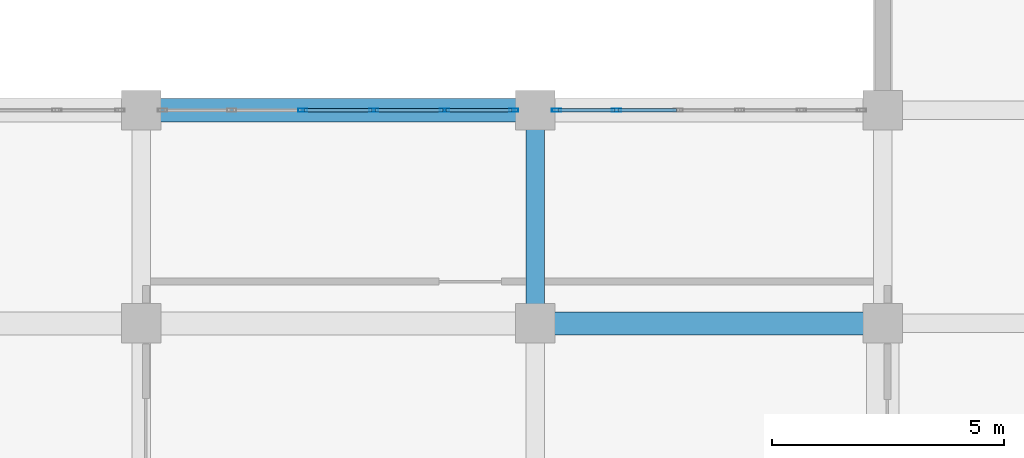
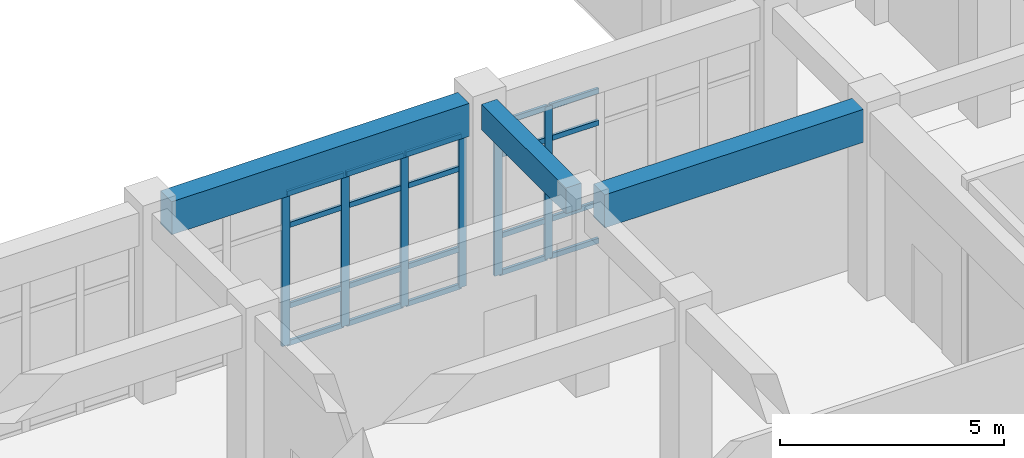
# One storey, part 34 of 84: 26 members, 3 beams, 2 elements without a shape of their own.
"""IFC4 building model written with IfcOpenShell, lengths in metres."""

from ifc_helpers import new_model, si_unit, direction, frame, origin, origin_2d, place, context, subcontext, project, spatial, rectangle, hollow_rectangle, extrude, material, layer, layer_set, material_profile, profile_set, type_object, element, aggregate, save


model = new_model("IFC4")

# Units and contexts
model_context = context("Model", 3, precision=1e-05, world=origin(), true_north=direction((0.0, 1.0)))
body_context = subcontext(model_context, "Body", "Model", "MODEL_VIEW")
ifc_project = project(units=[si_unit("LENGTHUNIT", "METRE"), si_unit("AREAUNIT", "SQUARE_METRE"), si_unit("VOLUMEUNIT", "CUBIC_METRE"), si_unit("PLANEANGLEUNIT", "RADIAN"), si_unit("MASSUNIT", "GRAM", prefix="KILO")], contexts=[model_context])

# Site, building, storey
site_placement = place(None, origin())
site = spatial("IfcSite", under=ifc_project, at=site_placement, CompositionType="ELEMENT")
building_placement = place(site_placement, origin())
building = spatial("IfcBuilding", under=site, at=building_placement, Name="Muzn Square Opera House", CompositionType="ELEMENT")
storey_placement = place(building_placement, origin())
storey = spatial("IfcBuildingStorey", under=building, at=storey_placement, Name="L00", CompositionType="ELEMENT", Elevation=0.0)

# Curtain wall, members
ifc_material_1 = material(Name="Low-E laminated acoustic double glazing", Category="glass")
ifc_layer_1 = layer(ifc_material_1, 0.159912109375, Name="Low-E laminated acoustic double glazing", Category="glass")
ifc_layer_set_1 = layer_set([ifc_layer_1], Name="Low-E laminated acoustic double glazing")
curtain_wall_type_1 = type_object("IfcCurtainWallType", Name="Glazed Curtain Wall EastCloisterS 7650x4150", PredefinedType="USERDEFINED", material=ifc_layer_set_1)
curtain_wall_1_placement = place(storey_placement, origin())
curtain_wall_1 = element("IfcCurtainWall", 1, at=curtain_wall_1_placement, inside=storey, type_object=curtain_wall_type_1, Name="Glazed Curtain Wall CW-L00-077", ObjectType="GLAZED CURTAIN WALL", PredefinedType="USERDEFINED")
ifc_material_2 = material(Name="Anodised bronze aluminium 6063-T6", Category="metal")
ifc_material_profile_1 = material_profile(ifc_material_2, hollow_rectangle(XDim=0.070068359375, YDim=0.199951171875, WallThickness=0.0048828125, at=origin_2d()), Name="ALU 200x70x5", Category="metal")
ifc_profile_set_1 = profile_set([ifc_material_profile_1], Name="Anodised bronze aluminium 6063-T6")
member_type_1 = type_object("IfcMemberType", Name="Curtain Wall Mullion 200x70", PredefinedType="MULLION", material=ifc_profile_set_1)
member_1_placement = place(storey_placement, frame((144.485107421875, 31.199951171875, 0.0), z_axis=(0.0, 0.0, 1.0), x_axis=(0.0, 1.0, 0.0)))
member_1 = element("IfcMember", 2, at=member_1_placement, type_object=member_type_1, Name="CW-ECS-76x41 mullion 3", PredefinedType="MULLION", context=body_context, shape_type="SweptSolid", body=[
    extrude(hollow_rectangle(XDim=0.070068359375, YDim=0.199951171875, WallThickness=0.0048828125, at=origin_2d()), origin(), (0.0, 0.0, 1.0), 4.14990234375),
])
member_2_placement = place(storey_placement, frame((146.014892578125, 31.199951171875, 0.0), z_axis=(0.0, 0.0, 1.0), x_axis=(0.0, 1.0, 0.0)))
member_2 = element("IfcMember", 3, at=member_2_placement, type_object=member_type_1, Name="CW-ECS-76x41 mullion 4", PredefinedType="MULLION", context=body_context, shape_type="SweptSolid", body=[
    extrude(hollow_rectangle(XDim=0.070068359375, YDim=0.199951171875, WallThickness=0.0048828125, at=origin_2d()), origin(), (0.0, 0.0, 1.0), 4.14990234375),
])
member_3_placement = place(storey_placement, frame((147.544921875, 31.199951171875, 0.0), z_axis=(0.0, 0.0, 1.0), x_axis=(0.0, 1.0, 0.0)))
member_3 = element("IfcMember", 4, at=member_3_placement, type_object=member_type_1, Name="CW-ECS-76x41 mullion 5", PredefinedType="MULLION", context=body_context, shape_type="SweptSolid", body=[
    extrude(hollow_rectangle(XDim=0.070068359375, YDim=0.199951171875, WallThickness=0.0048828125, at=origin_2d()), origin(), (0.0, 0.0, 1.0), 4.14990234375),
])
member_4_placement = place(storey_placement, frame((149.0400390625, 31.199951171875, 0.0), z_axis=(0.0, 0.0, 1.0), x_axis=(0.0, 1.0, 0.0)))
member_4 = element("IfcMember", 5, at=member_4_placement, type_object=member_type_1, Name="CW-ECS-76x41 mullion 6", PredefinedType="MULLION", context=body_context, shape_type="SweptSolid", body=[
    extrude(hollow_rectangle(XDim=0.070068359375, YDim=0.199951171875, WallThickness=0.0048828125, at=origin_2d()), origin(), (0.0, 0.0, 1.0), 4.14990234375),
])

ifc_layer_2 = layer(ifc_material_1, 0.159912109375, Name="Low-E laminated acoustic double glazing", Category="glass")
ifc_layer_set_2 = layer_set([ifc_layer_2], Name="Low-E laminated acoustic double glazing")
curtain_wall_type_2 = type_object("IfcCurtainWallType", Name="Glazed Curtain Wall EastCloisterS 6650x4150", PredefinedType="USERDEFINED", material=ifc_layer_set_2)
curtain_wall_2_placement = place(storey_placement, origin())
curtain_wall_2 = element("IfcCurtainWall", 6, at=curtain_wall_2_placement, inside=storey, type_object=curtain_wall_type_2, Name="Glazed Curtain Wall CW-L00-079", ObjectType="GLAZED CURTAIN WALL", PredefinedType="USERDEFINED")
member_5_placement = place(storey_placement, frame((149.9599609375, 31.199951171875, 0.0), z_axis=(0.0, 0.0, 1.0), x_axis=(0.0, 1.0, 0.0)))
member_5 = element("IfcMember", 7, at=member_5_placement, type_object=member_type_1, Name="CW-ECS-66x41 mullion 1", PredefinedType="MULLION", context=body_context, shape_type="SweptSolid", body=[
    extrude(hollow_rectangle(XDim=0.070068359375, YDim=0.199951171875, WallThickness=0.0048828125, at=origin_2d()), origin(), (0.0, 0.0, 1.0), 4.14990234375),
])
member_6_placement = place(storey_placement, frame((151.2548828125, 31.199951171875, 0.0), z_axis=(0.0, 0.0, 1.0), x_axis=(0.0, 1.0, 0.0)))
member_6 = element("IfcMember", 8, at=member_6_placement, type_object=member_type_1, Name="CW-ECS-66x41 mullion 2", PredefinedType="MULLION", context=body_context, shape_type="SweptSolid", body=[
    extrude(hollow_rectangle(XDim=0.070068359375, YDim=0.199951171875, WallThickness=0.0048828125, at=origin_2d()), origin(), (0.0, 0.0, 1.0), 4.14990234375),
])

# Member
ifc_material_profile_2 = material_profile(ifc_material_2, hollow_rectangle(XDim=0.070068359375, YDim=0.139892578125, WallThickness=0.00390625, at=origin_2d()), Name="ALU 140x70x4", Category="metal")
ifc_profile_set_2 = profile_set([ifc_material_profile_2], Name="Anodised bronze aluminium 6063-T6")
member_type_2 = type_object("IfcMemberType", Name="Curtain Wall Transom 140x70", PredefinedType="USERDEFINED", material=ifc_profile_set_2)
member_7_placement = place(storey_placement, frame((144.52001953125, 31.199951171875, 0.034912109375), z_axis=(1.0, 0.0, 0.0), x_axis=(0.0, 1.0, 0.0)))
member_7 = element("IfcMember", 9, at=member_7_placement, type_object=member_type_2, Name="CW-ECS-76x41 transom 3.1", ObjectType="TRANSOM", PredefinedType="USERDEFINED", context=body_context, shape_type="SweptSolid", body=[
    extrude(hollow_rectangle(XDim=0.070068359375, YDim=0.139892578125, WallThickness=0.00390625, at=origin_2d()), origin(), (0.0, 0.0, 1.0), 1.4599609375),
])

member_8_placement = place(storey_placement, frame((144.52001953125, 31.199951171875, 1.050048828125), z_axis=(1.0, 0.0, 0.0), x_axis=(0.0, 1.0, 0.0)))
member_8 = element("IfcMember", 10, at=member_8_placement, type_object=member_type_2, Name="CW-ECS-76x41 transom 3.2", ObjectType="TRANSOM", PredefinedType="USERDEFINED", context=body_context, shape_type="SweptSolid", body=[
    extrude(hollow_rectangle(XDim=0.070068359375, YDim=0.139892578125, WallThickness=0.00390625, at=origin_2d()), origin(), (0.0, 0.0, 1.0), 1.4599609375),
])

member_9_placement = place(storey_placement, frame((144.52001953125, 31.199951171875, 3.25), z_axis=(1.0, 0.0, 0.0), x_axis=(0.0, 1.0, 0.0)))
member_9 = element("IfcMember", 11, at=member_9_placement, type_object=member_type_2, Name="CW-ECS-76x41 transom 3.3", ObjectType="TRANSOM", PredefinedType="USERDEFINED", context=body_context, shape_type="SweptSolid", body=[
    extrude(hollow_rectangle(XDim=0.070068359375, YDim=0.139892578125, WallThickness=0.00390625, at=origin_2d()), origin(), (0.0, 0.0, 1.0), 1.4599609375),
])

member_10_placement = place(storey_placement, frame((144.52001953125, 31.199951171875, 4.114990234375), z_axis=(1.0, 0.0, 0.0), x_axis=(0.0, 1.0, 0.0)))
member_10 = element("IfcMember", 12, at=member_10_placement, type_object=member_type_2, Name="CW-ECS-76x41 transom 3.4", ObjectType="TRANSOM", PredefinedType="USERDEFINED", context=body_context, shape_type="SweptSolid", body=[
    extrude(hollow_rectangle(XDim=0.070068359375, YDim=0.139892578125, WallThickness=0.00390625, at=origin_2d()), origin(), (0.0, 0.0, 1.0), 1.4599609375),
])

member_11_placement = place(storey_placement, frame((146.050048828125, 31.199951171875, 0.034912109375), z_axis=(1.0, 0.0, 0.0), x_axis=(0.0, 1.0, 0.0)))
member_11 = element("IfcMember", 13, at=member_11_placement, type_object=member_type_2, Name="CW-ECS-76x41 transom 4.1", ObjectType="TRANSOM", PredefinedType="USERDEFINED", context=body_context, shape_type="SweptSolid", body=[
    extrude(hollow_rectangle(XDim=0.070068359375, YDim=0.139892578125, WallThickness=0.00390625, at=origin_2d()), origin(), (0.0, 0.0, 1.0), 1.4599609375),
])

member_12_placement = place(storey_placement, frame((146.050048828125, 31.199951171875, 1.050048828125), z_axis=(1.0, 0.0, 0.0), x_axis=(0.0, 1.0, 0.0)))
member_12 = element("IfcMember", 14, at=member_12_placement, type_object=member_type_2, Name="CW-ECS-76x41 transom 4.2", ObjectType="TRANSOM", PredefinedType="USERDEFINED", context=body_context, shape_type="SweptSolid", body=[
    extrude(hollow_rectangle(XDim=0.070068359375, YDim=0.139892578125, WallThickness=0.00390625, at=origin_2d()), origin(), (0.0, 0.0, 1.0), 1.4599609375),
])

member_13_placement = place(storey_placement, frame((146.050048828125, 31.199951171875, 3.25), z_axis=(1.0, 0.0, 0.0), x_axis=(0.0, 1.0, 0.0)))
member_13 = element("IfcMember", 15, at=member_13_placement, type_object=member_type_2, Name="CW-ECS-76x41 transom 4.3", ObjectType="TRANSOM", PredefinedType="USERDEFINED", context=body_context, shape_type="SweptSolid", body=[
    extrude(hollow_rectangle(XDim=0.070068359375, YDim=0.139892578125, WallThickness=0.00390625, at=origin_2d()), origin(), (0.0, 0.0, 1.0), 1.4599609375),
])

member_14_placement = place(storey_placement, frame((146.050048828125, 31.199951171875, 4.114990234375), z_axis=(1.0, 0.0, 0.0), x_axis=(0.0, 1.0, 0.0)))
member_14 = element("IfcMember", 16, at=member_14_placement, type_object=member_type_2, Name="CW-ECS-76x41 transom 4.4", ObjectType="TRANSOM", PredefinedType="USERDEFINED", context=body_context, shape_type="SweptSolid", body=[
    extrude(hollow_rectangle(XDim=0.070068359375, YDim=0.139892578125, WallThickness=0.00390625, at=origin_2d()), origin(), (0.0, 0.0, 1.0), 1.4599609375),
])

member_15_placement = place(storey_placement, frame((147.580078125, 31.199951171875, 0.034912109375), z_axis=(1.0, 0.0, 0.0), x_axis=(0.0, 1.0, 0.0)))
member_15 = element("IfcMember", 17, at=member_15_placement, type_object=member_type_2, Name="CW-ECS-76x41 transom 5.1", ObjectType="TRANSOM", PredefinedType="USERDEFINED", context=body_context, shape_type="SweptSolid", body=[
    extrude(hollow_rectangle(XDim=0.070068359375, YDim=0.139892578125, WallThickness=0.00390625, at=origin_2d()), origin(), (0.0, 0.0, 1.0), 1.4248046875),
])

member_16_placement = place(storey_placement, frame((147.580078125, 31.199951171875, 1.050048828125), z_axis=(1.0, 0.0, 0.0), x_axis=(0.0, 1.0, 0.0)))
member_16 = element("IfcMember", 18, at=member_16_placement, type_object=member_type_2, Name="CW-ECS-76x41 transom 5.2", ObjectType="TRANSOM", PredefinedType="USERDEFINED", context=body_context, shape_type="SweptSolid", body=[
    extrude(hollow_rectangle(XDim=0.070068359375, YDim=0.139892578125, WallThickness=0.00390625, at=origin_2d()), origin(), (0.0, 0.0, 1.0), 1.4248046875),
])

member_17_placement = place(storey_placement, frame((147.580078125, 31.199951171875, 3.25), z_axis=(1.0, 0.0, 0.0), x_axis=(0.0, 1.0, 0.0)))
member_17 = element("IfcMember", 19, at=member_17_placement, type_object=member_type_2, Name="CW-ECS-76x41 transom 5.3", ObjectType="TRANSOM", PredefinedType="USERDEFINED", context=body_context, shape_type="SweptSolid", body=[
    extrude(hollow_rectangle(XDim=0.070068359375, YDim=0.139892578125, WallThickness=0.00390625, at=origin_2d()), origin(), (0.0, 0.0, 1.0), 1.4248046875),
])

member_18_placement = place(storey_placement, frame((147.580078125, 31.199951171875, 4.114990234375), z_axis=(1.0, 0.0, 0.0), x_axis=(0.0, 1.0, 0.0)))
member_18 = element("IfcMember", 20, at=member_18_placement, type_object=member_type_2, Name="CW-ECS-76x41 transom 5.4", ObjectType="TRANSOM", PredefinedType="USERDEFINED", context=body_context, shape_type="SweptSolid", body=[
    extrude(hollow_rectangle(XDim=0.070068359375, YDim=0.139892578125, WallThickness=0.00390625, at=origin_2d()), origin(), (0.0, 0.0, 1.0), 1.4248046875),
])

aggregate(curtain_wall_1, [member_1, member_2, member_3, member_4, member_7, member_8, member_9, member_10, member_11, member_12, member_13, member_14, member_15, member_16, member_17, member_18])

member_19_placement = place(storey_placement, frame((149.9951171875, 31.199951171875, 0.034912109375), z_axis=(1.0, 0.0, 0.0), x_axis=(0.0, 1.0, 0.0)))
member_19 = element("IfcMember", 21, at=member_19_placement, type_object=member_type_2, Name="CW-ECS-66x41 transom 1.1", ObjectType="TRANSOM", PredefinedType="USERDEFINED", context=body_context, shape_type="SweptSolid", body=[
    extrude(hollow_rectangle(XDim=0.070068359375, YDim=0.139892578125, WallThickness=0.00390625, at=origin_2d()), origin(), (0.0, 0.0, 1.0), 1.224853515625),
])

member_20_placement = place(storey_placement, frame((149.9951171875, 31.199951171875, 1.050048828125), z_axis=(1.0, 0.0, 0.0), x_axis=(0.0, 1.0, 0.0)))
member_20 = element("IfcMember", 22, at=member_20_placement, type_object=member_type_2, Name="CW-ECS-66x41 transom 1.2", ObjectType="TRANSOM", PredefinedType="USERDEFINED", context=body_context, shape_type="SweptSolid", body=[
    extrude(hollow_rectangle(XDim=0.070068359375, YDim=0.139892578125, WallThickness=0.00390625, at=origin_2d()), origin(), (0.0, 0.0, 1.0), 1.224853515625),
])

member_21_placement = place(storey_placement, frame((149.9951171875, 31.199951171875, 3.25), z_axis=(1.0, 0.0, 0.0), x_axis=(0.0, 1.0, 0.0)))
member_21 = element("IfcMember", 23, at=member_21_placement, type_object=member_type_2, Name="CW-ECS-66x41 transom 1.3", ObjectType="TRANSOM", PredefinedType="USERDEFINED", context=body_context, shape_type="SweptSolid", body=[
    extrude(hollow_rectangle(XDim=0.070068359375, YDim=0.139892578125, WallThickness=0.00390625, at=origin_2d()), origin(), (0.0, 0.0, 1.0), 1.224853515625),
])

member_22_placement = place(storey_placement, frame((149.9951171875, 31.199951171875, 4.114990234375), z_axis=(1.0, 0.0, 0.0), x_axis=(0.0, 1.0, 0.0)))
member_22 = element("IfcMember", 24, at=member_22_placement, type_object=member_type_2, Name="CW-ECS-66x41 transom 1.4", ObjectType="TRANSOM", PredefinedType="USERDEFINED", context=body_context, shape_type="SweptSolid", body=[
    extrude(hollow_rectangle(XDim=0.070068359375, YDim=0.139892578125, WallThickness=0.00390625, at=origin_2d()), origin(), (0.0, 0.0, 1.0), 1.224853515625),
])

member_23_placement = place(storey_placement, frame((151.2900390625, 31.199951171875, 0.034912109375), z_axis=(1.0, 0.0, 0.0), x_axis=(0.0, 1.0, 0.0)))
member_23 = element("IfcMember", 25, at=member_23_placement, type_object=member_type_2, Name="CW-ECS-66x41 transom 2.1", ObjectType="TRANSOM", PredefinedType="USERDEFINED", context=body_context, shape_type="SweptSolid", body=[
    extrude(hollow_rectangle(XDim=0.070068359375, YDim=0.139892578125, WallThickness=0.00390625, at=origin_2d()), origin(), (0.0, 0.0, 1.0), 1.260009765625),
])

member_24_placement = place(storey_placement, frame((151.2900390625, 31.199951171875, 1.050048828125), z_axis=(1.0, 0.0, 0.0), x_axis=(0.0, 1.0, 0.0)))
member_24 = element("IfcMember", 26, at=member_24_placement, type_object=member_type_2, Name="CW-ECS-66x41 transom 2.2", ObjectType="TRANSOM", PredefinedType="USERDEFINED", context=body_context, shape_type="SweptSolid", body=[
    extrude(hollow_rectangle(XDim=0.070068359375, YDim=0.139892578125, WallThickness=0.00390625, at=origin_2d()), origin(), (0.0, 0.0, 1.0), 1.260009765625),
])

member_25_placement = place(storey_placement, frame((151.2900390625, 31.199951171875, 3.25), z_axis=(1.0, 0.0, 0.0), x_axis=(0.0, 1.0, 0.0)))
member_25 = element("IfcMember", 27, at=member_25_placement, type_object=member_type_2, Name="CW-ECS-66x41 transom 2.3", ObjectType="TRANSOM", PredefinedType="USERDEFINED", context=body_context, shape_type="SweptSolid", body=[
    extrude(hollow_rectangle(XDim=0.070068359375, YDim=0.139892578125, WallThickness=0.00390625, at=origin_2d()), origin(), (0.0, 0.0, 1.0), 1.260009765625),
])

member_26_placement = place(storey_placement, frame((151.2900390625, 31.199951171875, 4.114990234375), z_axis=(1.0, 0.0, 0.0), x_axis=(0.0, 1.0, 0.0)))
member_26 = element("IfcMember", 28, at=member_26_placement, type_object=member_type_2, Name="CW-ECS-66x41 transom 2.4", ObjectType="TRANSOM", PredefinedType="USERDEFINED", context=body_context, shape_type="SweptSolid", body=[
    extrude(hollow_rectangle(XDim=0.070068359375, YDim=0.139892578125, WallThickness=0.00390625, at=origin_2d()), origin(), (0.0, 0.0, 1.0), 1.260009765625),
])

aggregate(curtain_wall_2, [member_5, member_6, member_19, member_20, member_21, member_22, member_23, member_24, member_25, member_26])

# Beams
ifc_material_3 = material(Name="Concrete C40/50", Category="concrete")
ifc_material_profile_3 = material_profile(ifc_material_3, rectangle(XDim=0.39990234375, YDim=0.699951171875, at=origin_2d()), Name="RCB 400x700", Category="concrete")
ifc_profile_set_3 = profile_set([ifc_material_profile_3], Name="Concrete C40/50")
beam_type_1 = type_object("IfcBeamType", Name="Primary Girder 400x700", PredefinedType="BEAM", material=ifc_profile_set_3)
beam_1_placement = place(storey_placement, frame((149.5, 27.01708984375, 4.77001953125), z_axis=(0.0, 1.0, 0.0), x_axis=(-1.0, 0.0, 0.0)))
element("IfcBeam", 29, at=beam_1_placement, inside=storey, type_object=beam_type_1, Name="Primary Girder BM-L00-BM-PG700-1495_270_1495_308-1134", PredefinedType="BEAM", context=body_context, shape_type="SweptSolid", body=[
    extrude(rectangle(XDim=0.39990234375, YDim=0.699951171875, at=origin_2d()), origin(), (0.0, 0.0, 1.0), 3.765869140625),
])
ifc_material_profile_4 = material_profile(ifc_material_3, rectangle(XDim=0.5, YDim=0.89990234375, at=origin_2d()), Name="RCB 500x900", Category="concrete")
ifc_profile_set_4 = profile_set([ifc_material_profile_4], Name="Concrete C40/50")
beam_type_2 = type_object("IfcBeamType", Name="Primary Girder 500x900", PredefinedType="BEAM", material=ifc_profile_set_4)
beam_2_placement = place(storey_placement, frame((149.9169921875, 26.60009765625, 4.669921875), z_axis=(1.0, 0.0, 0.0), x_axis=(0.0, 1.0, 0.0)))
element("IfcBeam", 30, at=beam_2_placement, inside=storey, type_object=beam_type_2, Name="Primary Girder BM-L00-BM-PG900-1499_266_1566_266-786", PredefinedType="BEAM", context=body_context, shape_type="SweptSolid", body=[
    extrude(rectangle(XDim=0.5, YDim=0.89990234375, at=origin_2d()), origin(), (0.0, 0.0, 1.0), 6.666015625),
])
beam_3_placement = place(storey_placement, frame((141.4169921875, 31.199951171875, 4.669921875), z_axis=(1.0, 0.0, 0.0), x_axis=(0.0, 1.0, 0.0)))
element("IfcBeam", 31, at=beam_3_placement, inside=storey, type_object=beam_type_2, Name="Primary Girder BM-L00-BM-PG900-1414_312_1491_312-804", PredefinedType="BEAM", context=body_context, shape_type="SweptSolid", body=[
    extrude(rectangle(XDim=0.5, YDim=0.89990234375, at=origin_2d()), origin(), (0.0, 0.0, 1.0), 7.666015625),
])

save(model, "model.ifc")
